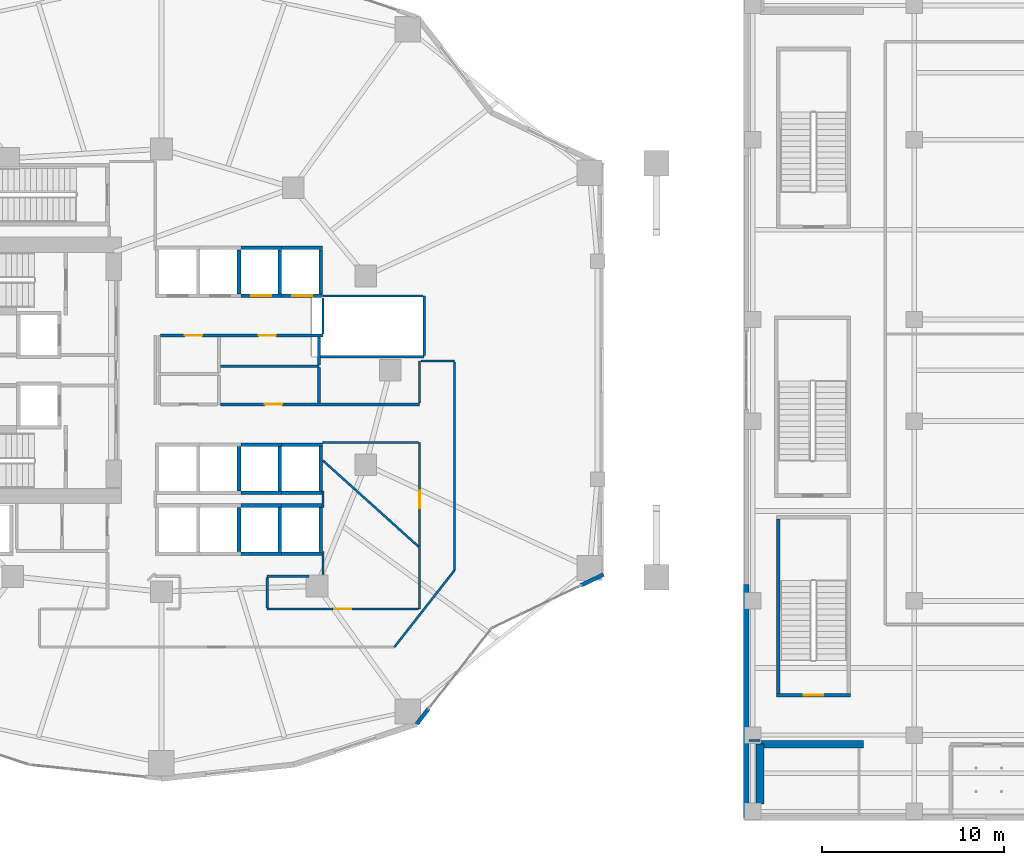
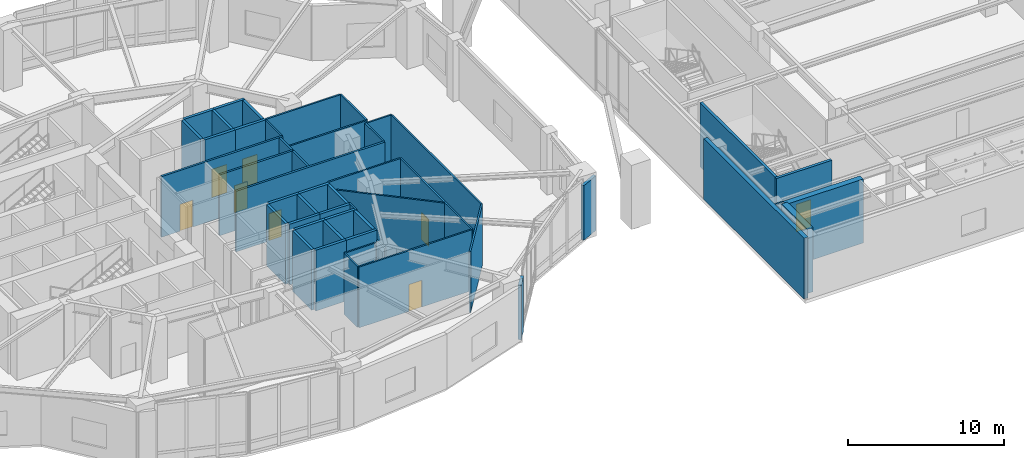
# One storey, part 13 of 21: 50 walls, 8 doors, 8 openings.
"""IFC4 building model written with IfcOpenShell, lengths in metres."""

from ifc_helpers import new_model, si_unit, direction, frame, frame_2d, origin, place, context, subcontext, project, spatial, rectangle, extrude, material, layer, layer_set, type_object, element, fill, save


model = new_model("IFC4")

# Units and contexts
model_context = context("Model", 3, precision=1e-05, world=origin(), true_north=direction((0.0, 1.0)))
body_context = subcontext(model_context, "Body", "Model", "MODEL_VIEW")
ifc_project = project(units=[si_unit("LENGTHUNIT", "METRE"), si_unit("AREAUNIT", "SQUARE_METRE"), si_unit("VOLUMEUNIT", "CUBIC_METRE"), si_unit("PLANEANGLEUNIT", "RADIAN"), si_unit("MASSUNIT", "GRAM", prefix="KILO")], contexts=[model_context])

# Site, building, storey
site_placement = place(None, origin())
site = spatial("IfcSite", under=ifc_project, at=site_placement, CompositionType="ELEMENT")
building_placement = place(site_placement, origin())
building = spatial("IfcBuilding", under=site, at=building_placement, Name="Kolvaren Gate Tower and Convention Centre", CompositionType="ELEMENT")
storey_placement = place(building_placement, frame((0.0, 0.0, 5.0)))
storey = spatial("IfcBuildingStorey", under=building, at=storey_placement, Name="L01", CompositionType="ELEMENT", Elevation=5.0)

# Walls
ifc_material_1 = material(Name="Fire-Rated Acoustic Gypsum Stud Partition", Category="gypsum")
ifc_layer_1 = layer(ifc_material_1, 0.1201171875)
ifc_layer_set_1 = layer_set([ifc_layer_1], Name="Fire-Rated Acoustic Gypsum Stud Partition")
wall_type_1 = type_object("IfcWallType", Name="ARCH-WL-PART-120", PredefinedType="PARTITIONING", material=ifc_layer_set_1)
wall_1_placement = place(storey_placement, frame((39.02001953125, 15.741943359375, 0.0), z_axis=(0.0, 0.0, 1.0), x_axis=(0.0, 1.0, 0.0)))
element("IfcWall", 1, at=wall_1_placement, inside=storey, type_object=wall_type_1, Name="Interior Partition WL-L01-INT-025", PredefinedType="PARTITIONING", context=body_context, shape_type="SweptSolid", body=[
    extrude(rectangle(XDim=1.26806640625, YDim=0.1201171875, at=frame_2d((0.634033203125, 0.0))), origin(), (0.0, 0.0, 1.0), 3.97412109375),
])
wall_2_placement = place(storey_placement, frame((39.02001953125, 19.43994140625, 0.0), z_axis=(0.0, 0.0, 1.0), x_axis=(0.0, 1.0, 0.0)))
element("IfcWall", 2, at=wall_2_placement, inside=storey, type_object=wall_type_1, Name="Interior Partition WL-L01-INT-025 (2)", PredefinedType="PARTITIONING", context=body_context, shape_type="SweptSolid", body=[
    extrude(rectangle(XDim=0.920166015625, YDim=0.1201171875, at=frame_2d((0.4599609375, 0.0))), origin(), (0.0, 0.0, 1.0), 4.739990234375),
])
wall_3_placement = place(storey_placement, frame((39.02001953125, 28.9970703125, 0.0), z_axis=(0.0, 0.0, 1.0), x_axis=(0.0, 1.0, 0.0)))
element("IfcWall", 3, at=wall_3_placement, inside=storey, type_object=wall_type_1, Name="Interior Partition WL-L01-INT-026", PredefinedType="PARTITIONING", context=body_context, shape_type="SweptSolid", body=[
    extrude(rectangle(XDim=1.98291015625, YDim=0.1201171875, at=frame_2d((0.991455078125, 0.0))), origin(), (0.0, 0.0, 1.0), 4.739990234375),
])

# Wall, opening, door
wall_4_placement = place(storey_placement, frame((44.35009765625, 13.85009765625, 0.0), z_axis=(0.0, 0.0, 1.0), x_axis=(0.0, 1.0, 0.0)))
wall_4 = element("IfcWall", 4, at=wall_4_placement, inside=storey, type_object=wall_type_1, Name="Interior Partition WL-L01-INT-027", PredefinedType="PARTITIONING", context=body_context, shape_type="SweptSolid", body=[
    extrude(rectangle(XDim=9.169921875, YDim=0.1201171875, at=frame_2d((4.5849609375, 0.0))), origin(), (0.0, 0.0, 1.0), 4.739990234375),
])
opening_1_placement = place(wall_4_placement, frame((5.553955078125, 0.0, 0.0)))
opening_1 = element("IfcOpeningElement", 5, at=opening_1_placement, cuts=wall_4, Name="Opening DR-01", PredefinedType="OPENING", context=body_context, shape_type="SweptSolid", body=[
    extrude(rectangle(XDim=0.949951171875, YDim=2.10009765625, at=frame_2d((0.47509765625, 1.050048828125))), frame((0.0, 0.070068359375, 0.0), z_axis=(0.0, -1.0, 0.0), x_axis=(1.0, 0.0, 0.0)), (0.0, 0.0, 1.0), 0.14013671875),
])
ifc_material_2 = material(Name="Painted Architectural Steelwork ASTM A500 Grade C 345 MPa", Category="steel")
door_type_1 = type_object("IfcDoorType", Name="ARCH-DR-RISER-950", OperationType="SINGLE_SWING_RIGHT", PredefinedType="DOOR", material=ifc_material_2)
door_1_placement = place(opening_1_placement, origin())
door_1 = element("IfcDoor", 6, at=door_1_placement, inside=storey, type_object=door_type_1, Name="Retail Boutique Kiosk Door", OperationType="SINGLE_SWING_LEFT", OverallHeight=2.10009765625, OverallWidth=0.949951171875, PredefinedType="DOOR", context=body_context, shape_type="SweptSolid", body=[
    extrude(rectangle(XDim=0.949951171875, YDim=2.10009765625, at=frame_2d((0.47509765625, 1.050048828125))), frame((0.0, 0.02490234375, 0.0), z_axis=(0.0, -1.0, 0.0), x_axis=(1.0, 0.0, 0.0)), (0.0, 0.0, 1.0), 0.050048828125),
])
fill(opening_1, door_1)

# Walls
wall_5_placement = place(storey_placement, frame((44.35009765625, 25.197021484375, 0.0), z_axis=(0.0, 0.0, 1.0), x_axis=(0.0, 1.0, 0.0)))
element("IfcWall", 7, at=wall_5_placement, inside=storey, type_object=wall_type_1, Name="Interior Partition WL-L01-INT-028", PredefinedType="PARTITIONING", context=body_context, shape_type="SweptSolid", body=[
    extrude(rectangle(XDim=2.31298828125, YDim=0.1201171875, at=frame_2d((1.156494140625, 0.0))), origin(), (0.0, 0.0, 1.0), 4.739990234375),
])
wall_6_placement = place(storey_placement, frame((44.412109375, 27.510009765625, 0.0), z_axis=(0.0, 0.0, 1.0), x_axis=(1.0, 0.0, 0.0)))
element("IfcWall", 8, at=wall_6_placement, inside=storey, type_object=wall_type_1, Name="Interior Partition WL-L01-INT-029", PredefinedType="PARTITIONING", context=body_context, shape_type="SweptSolid", body=[
    extrude(rectangle(XDim=1.85791015625, YDim=0.1201171875, at=frame_2d((0.928955078125, 0.0))), origin(), (0.0, 0.0, 1.0), 4.739990234375),
])
wall_7_placement = place(storey_placement, frame((46.27001953125, 15.98193359375, 0.0), z_axis=(0.0, 0.0, 1.0), x_axis=(0.0, 1.0, 0.0)))
element("IfcWall", 9, at=wall_7_placement, inside=storey, type_object=wall_type_1, Name="Interior Partition WL-L01-INT-030", PredefinedType="PARTITIONING", context=body_context, shape_type="SweptSolid", body=[
    extrude(rectangle(XDim=11.466064453125, YDim=0.1201171875, at=frame_2d((5.73291015625, 0.0))), origin(), (0.0, 0.0, 1.0), 4.739990234375),
])
wall_8_placement = place(storey_placement, frame((42.95703125, 11.75, 0.0), z_axis=(0.0, 0.0, 1.0), x_axis=(0.616428289415, 0.78741105149, 0.0)))
element("IfcWall", 10, at=wall_8_placement, inside=storey, type_object=wall_type_1, Name="Interior Partition WL-L01-INT-031", PredefinedType="PARTITIONING", context=body_context, shape_type="SweptSolid", body=[
    extrude(rectangle(XDim=5.37451171875, YDim=0.1201171875, at=frame_2d((2.687255859375, 0.0))), origin(), (0.0, 0.0, 1.0), 4.739990234375),
])

# Wall, opening, door
wall_9_placement = place(storey_placement, frame((35.949951171875, 13.85009765625, 0.0), z_axis=(0.0, 0.0, 1.0), x_axis=(1.0, 0.0, 0.0)))
wall_9 = element("IfcWall", 11, at=wall_9_placement, inside=storey, type_object=wall_type_1, Name="Interior Partition WL-L01-INT-036", PredefinedType="PARTITIONING", context=body_context, shape_type="SweptSolid", body=[
    extrude(rectangle(XDim=8.338134765625, YDim=0.1201171875, at=frame_2d((4.1689453125, 0.0))), origin(), (0.0, 0.0, 1.0), 4.739990234375),
])
opening_2_placement = place(wall_9_placement, frame((3.694091796875, 0.0, 0.0)))
opening_2 = element("IfcOpeningElement", 12, at=opening_2_placement, cuts=wall_9, Name="Opening DR-01", PredefinedType="OPENING", context=body_context, shape_type="SweptSolid", body=[
    extrude(rectangle(XDim=0.949951171875, YDim=2.10009765625, at=frame_2d((0.47509765625, 1.050048828125))), frame((0.0, 0.070068359375, 0.0), z_axis=(0.0, -1.0, 0.0), x_axis=(1.0, 0.0, 0.0)), (0.0, 0.0, 1.0), 0.14013671875),
])
door_2_placement = place(opening_2_placement, origin())
door_2 = element("IfcDoor", 13, at=door_2_placement, inside=storey, type_object=door_type_1, Name="Bogota Botanical Bistro Door", OperationType="SINGLE_SWING_RIGHT", OverallHeight=2.10009765625, OverallWidth=0.949951171875, PredefinedType="DOOR", context=body_context, shape_type="SweptSolid", body=[
    extrude(rectangle(XDim=0.949951171875, YDim=2.10009765625, at=frame_2d((0.47509765625, 1.050048828125))), frame((0.0, 0.02490234375, 0.0), z_axis=(0.0, -1.0, 0.0), x_axis=(1.0, 0.0, 0.0)), (0.0, 0.0, 1.0), 0.050048828125),
])
fill(opening_2, door_2)

# Walls
wall_10_placement = place(storey_placement, frame((35.949951171875, 15.64990234375, 0.0), z_axis=(0.0, 0.0, 1.0), x_axis=(1.0, 0.0, 0.0)))
element("IfcWall", 14, at=wall_10_placement, inside=storey, type_object=wall_type_1, Name="Interior Partition WL-L01-INT-040", PredefinedType="PARTITIONING", context=body_context, shape_type="SweptSolid", body=[
    extrude(rectangle(XDim=2.291015625, YDim=0.1201171875, at=frame_2d((1.1455078125, 0.0))), origin(), (0.0, 0.0, 1.0), 4.739990234375),
])
wall_11_placement = place(storey_placement, frame((35.949951171875, 13.912109375, 0.0), z_axis=(0.0, 0.0, 1.0), x_axis=(0.0, 1.0, 0.0)))
element("IfcWall", 15, at=wall_11_placement, inside=storey, type_object=wall_type_1, Name="Interior Partition WL-L01-INT-041", PredefinedType="PARTITIONING", context=body_context, shape_type="SweptSolid", body=[
    extrude(rectangle(XDim=1.67578125, YDim=0.1201171875, at=frame_2d((0.837890625, 0.0))), origin(), (0.0, 0.0, 1.0), 4.739990234375),
])
wall_12_placement = place(storey_placement, frame((39.0, 23.02001953125, 0.0), z_axis=(0.0, 0.0, 1.0), x_axis=(1.0, 0.0, 0.0)))
element("IfcWall", 16, at=wall_12_placement, inside=storey, type_object=wall_type_1, Name="Interior Partition WL-L01-INT-042", PredefinedType="PARTITIONING", context=body_context, shape_type="SweptSolid", body=[
    extrude(rectangle(XDim=5.2880859375, YDim=0.1201171875, at=frame_2d((2.64404296875, 0.0))), origin(), (0.0, 0.0, 1.0), 4.739990234375),
])
wall_13_placement = place(storey_placement, frame((38.876953125, 27.75, 0.0), z_axis=(0.0, 0.0, 1.0), x_axis=(1.0, 0.0, 0.0)))
element("IfcWall", 17, at=wall_13_placement, inside=storey, type_object=wall_type_1, Name="Interior Partition WL-L01-INT-045", PredefinedType="PARTITIONING", context=body_context, shape_type="SweptSolid", body=[
    extrude(rectangle(XDim=5.72314453125, YDim=0.1201171875, at=frame_2d((2.861572265625, 0.0))), origin(), (0.0, 0.0, 1.0), 4.739990234375),
])
wall_14_placement = place(storey_placement, frame((44.60009765625, 27.81201171875, 0.0), z_axis=(0.0, 0.0, 1.0), x_axis=(0.0, 1.0, 0.0)))
element("IfcWall", 18, at=wall_14_placement, inside=storey, type_object=wall_type_1, Name="Interior Partition WL-L01-INT-046", PredefinedType="PARTITIONING", context=body_context, shape_type="SweptSolid", body=[
    extrude(rectangle(XDim=3.2880859375, YDim=0.1201171875, at=frame_2d((1.64404296875, 0.0))), origin(), (0.0, 0.0, 1.0), 4.739990234375),
])
wall_15_placement = place(storey_placement, frame((39.02001953125, 31.10009765625, 0.0), z_axis=(0.0, 0.0, 1.0), x_axis=(1.0, 0.0, 0.0)))
element("IfcWall", 19, at=wall_15_placement, inside=storey, type_object=wall_type_1, Name="Interior Partition WL-L01-INT-047", PredefinedType="PARTITIONING", context=body_context, shape_type="SweptSolid", body=[
    extrude(rectangle(XDim=5.51806640625, YDim=0.1201171875, at=frame_2d((2.759033203125, 0.0))), origin(), (0.0, 0.0, 1.0), 4.739990234375),
])
wall_16_placement = place(storey_placement, frame((39.02001953125, 22.030029296875, 0.0), z_axis=(0.0, 0.0, 1.0), x_axis=(0.743160554948, -0.669113136599, 0.0)))
element("IfcWall", 20, at=wall_16_placement, inside=storey, type_object=wall_type_1, Name="Interior Partition WL-L01-INT-049", PredefinedType="PARTITIONING", context=body_context, shape_type="SweptSolid", body=[
    extrude(rectangle(XDim=7.088623046875, YDim=0.1201171875, at=frame_2d((3.54443359375, 0.0))), origin(), (0.0, 0.0, 1.0), 4.739990234375),
])
wall_17_placement = place(storey_placement, frame((62.501953125, 6.60009765625, 0.0), z_axis=(0.0, 0.0, 1.0), x_axis=(1.0, 0.0, 0.0)))
element("IfcWall", 21, at=wall_17_placement, inside=storey, type_object=wall_type_1, Name="Interior Partition WL-L01-INT-050", PredefinedType="PARTITIONING", context=body_context, shape_type="SweptSolid", body=[
    extrude(rectangle(XDim=0.59814453125, YDim=0.1201171875, at=frame_2d((0.299072265625, 0.0))), origin(), (0.0, 0.0, 1.0), 4.739990234375),
])
ifc_material_3 = material(Name="Bogota Sabana Bush-Hammered Sandstone Cladding", Category="masonry")
ifc_layer_2 = layer(ifc_material_3, 0.219970703125)
ifc_layer_set_2 = layer_set([ifc_layer_2], Name="Bogota Sabana Bush-Hammered Sandstone Cladding")
wall_type_2 = type_object("IfcWallType", Name="ARCH-WL-PIER-220", PredefinedType="SOLIDWALL", material=ifc_layer_set_2)
wall_18_placement = place(storey_placement, frame((44.1875, 7.514404296875, 0.0), z_axis=(0.0, 0.0, 1.0), x_axis=(0.616387780378, 0.787442762492, 0.0)))
element("IfcWall", 22, at=wall_18_placement, inside=storey, type_object=wall_type_2, Name="Tower L01 Unitised Curtain Wall CW-POD-GLZ Bay 20 Left Column Pier Wrap", PredefinedType="SOLIDWALL", context=body_context, shape_type="SweptSolid", body=[
    extrude(rectangle(XDim=1.076171875, YDim=0.219970703125, at=frame_2d((0.5380859375, 0.0))), origin(), (0.0, 0.0, 1.0), 4.262939453125),
])
wall_19_placement = place(storey_placement, frame((53.23681640625, 15.151611328125, 0.0), z_axis=(0.0, 0.0, 1.0), x_axis=(0.901316119915, 0.433161923512, 0.0)))
element("IfcWall", 23, at=wall_19_placement, inside=storey, type_object=wall_type_2, Name="Tower L01 Unitised Curtain Wall CW-POD-GLZ Bay 21 Right Column Pier Wrap", PredefinedType="SOLIDWALL", context=body_context, shape_type="SweptSolid", body=[
    extrude(rectangle(XDim=1.38134765625, YDim=0.219970703125, at=frame_2d((0.690673828125, 0.0))), origin(), (0.0, 0.0, 1.0), 4.262939453125),
])
ifc_material_4 = material(Name="Autoclaved Aerated Masonry Blockwork Class 4 (4.0 MPa)", Category="masonry")
ifc_layer_3 = layer(ifc_material_4, 0.199951171875)
ifc_layer_set_3 = layer_set([ifc_layer_3], Name="Autoclaved Aerated Masonry Blockwork Class 4 (4.0 MPa)")
wall_type_3 = type_object("IfcWallType", Name="ARCH-WL-SHAFT-200", PredefinedType="SOLIDWALL", material=ifc_layer_set_3)
wall_20_placement = place(storey_placement, frame((34.39990234375, 31.2099609375, 0.0), z_axis=(0.0, 0.0, 1.0), x_axis=(0.0, 1.0, 0.0)))
element("IfcWall", 24, at=wall_20_placement, inside=storey, type_object=wall_type_3, Name="Elevator PL-02 L01 Fire Shaft Wall E", PredefinedType="SOLIDWALL", context=body_context, shape_type="SweptSolid", body=[
    extrude(rectangle(XDim=2.429931640625, YDim=0.199951171875, at=frame_2d((1.21484375, 0.0))), origin(), (0.0, 0.0, 1.0), 4.739990234375),
])
wall_21_placement = place(storey_placement, frame((34.5, 33.75, 0.0), z_axis=(0.0, 0.0, 1.0), x_axis=(1.0, 0.0, 0.0)))
element("IfcWall", 25, at=wall_21_placement, inside=storey, type_object=wall_type_3, Name="Elevator PL-03 L01 Fire Shaft Wall N", PredefinedType="SOLIDWALL", context=body_context, shape_type="SweptSolid", body=[
    extrude(rectangle(XDim=2.25, YDim=0.199951171875, at=frame_2d((1.125, 0.0))), origin(), (0.0, 0.0, 1.0), 4.739990234375),
])

# Wall, opening, door
wall_22_placement = place(storey_placement, frame((34.5, 31.10009765625, 0.0), z_axis=(0.0, 0.0, 1.0), x_axis=(1.0, 0.0, 0.0)))
wall_22 = element("IfcWall", 26, at=wall_22_placement, inside=storey, type_object=wall_type_3, Name="Elevator PL-03 L01 Fire Shaft Wall S", PredefinedType="SOLIDWALL", context=body_context, shape_type="SweptSolid", body=[
    extrude(rectangle(XDim=2.25, YDim=0.199951171875, at=frame_2d((1.125, 0.0))), origin(), (0.0, 0.0, 1.0), 4.739990234375),
])
opening_3_placement = place(wall_22_placement, frame((0.574951171875, 0.0, 0.0)))
opening_3 = element("IfcOpeningElement", 27, at=opening_3_placement, cuts=wall_22, Name="Opening LD", PredefinedType="OPENING", context=body_context, shape_type="SweptSolid", body=[
    extrude(rectangle(XDim=1.10009765625, YDim=2.199951171875, at=frame_2d((0.550048828125, 1.10009765625))), frame((0.0, 0.10986328125, 0.0), z_axis=(0.0, -1.0, 0.0), x_axis=(1.0, 0.0, 0.0)), (0.0, 0.0, 1.0), 0.219970703125),
])
ifc_material_5 = material(Name="Brushed Stainless Steel Grade 316L", Category="steel")
door_type_2 = type_object("IfcDoorType", Name="ARCH-DR-LIFT-1100", OperationType="SLIDING_TO_LEFT", PredefinedType="DOOR", material=ifc_material_5)
door_3_placement = place(opening_3_placement, origin())
door_3 = element("IfcDoor", 28, at=door_3_placement, inside=storey, type_object=door_type_2, Name="Elevator PL-03 L01 Sliding Landing Door", OperationType="SLIDING_TO_LEFT", OverallHeight=2.199951171875, OverallWidth=1.10009765625, PredefinedType="DOOR", context=body_context, shape_type="SweptSolid", body=[
    extrude(rectangle(XDim=1.10009765625, YDim=2.199951171875, at=frame_2d((0.550048828125, 1.10009765625))), frame((0.0, 0.02490234375, 0.0), z_axis=(0.0, -1.0, 0.0), x_axis=(1.0, 0.0, 0.0)), (0.0, 0.0, 1.0), 0.050048828125),
])
fill(opening_3, door_3)

# Walls
wall_23_placement = place(storey_placement, frame((36.64990234375, 31.2099609375, 0.0), z_axis=(0.0, 0.0, 1.0), x_axis=(0.0, 1.0, 0.0)))
element("IfcWall", 29, at=wall_23_placement, inside=storey, type_object=wall_type_3, Name="Elevator PL-03 L01 Fire Shaft Wall E", PredefinedType="SOLIDWALL", context=body_context, shape_type="SweptSolid", body=[
    extrude(rectangle(XDim=2.429931640625, YDim=0.199951171875, at=frame_2d((1.21484375, 0.0))), origin(), (0.0, 0.0, 1.0), 4.739990234375),
])
wall_24_placement = place(storey_placement, frame((36.75, 33.75, 0.0), z_axis=(0.0, 0.0, 1.0), x_axis=(1.0, 0.0, 0.0)))
element("IfcWall", 30, at=wall_24_placement, inside=storey, type_object=wall_type_3, Name="Elevator PL-04 L01 Fire Shaft Wall N", PredefinedType="SOLIDWALL", context=body_context, shape_type="SweptSolid", body=[
    extrude(rectangle(XDim=2.25, YDim=0.199951171875, at=frame_2d((1.125, 0.0))), origin(), (0.0, 0.0, 1.0), 4.739990234375),
])

# Wall, opening, door
wall_25_placement = place(storey_placement, frame((36.75, 31.10009765625, 0.0), z_axis=(0.0, 0.0, 1.0), x_axis=(1.0, 0.0, 0.0)))
wall_25 = element("IfcWall", 31, at=wall_25_placement, inside=storey, type_object=wall_type_3, Name="Elevator PL-04 L01 Fire Shaft Wall S", PredefinedType="SOLIDWALL", context=body_context, shape_type="SweptSolid", body=[
    extrude(rectangle(XDim=2.25, YDim=0.199951171875, at=frame_2d((1.125, 0.0))), origin(), (0.0, 0.0, 1.0), 4.739990234375),
])
opening_4_placement = place(wall_25_placement, frame((0.574951171875, 0.0, 0.0)))
opening_4 = element("IfcOpeningElement", 32, at=opening_4_placement, cuts=wall_25, Name="Opening LD", PredefinedType="OPENING", context=body_context, shape_type="SweptSolid", body=[
    extrude(rectangle(XDim=1.10009765625, YDim=2.199951171875, at=frame_2d((0.550048828125, 1.10009765625))), frame((0.0, 0.10986328125, 0.0), z_axis=(0.0, -1.0, 0.0), x_axis=(1.0, 0.0, 0.0)), (0.0, 0.0, 1.0), 0.219970703125),
])
door_4_placement = place(opening_4_placement, origin())
door_4 = element("IfcDoor", 33, at=door_4_placement, inside=storey, type_object=door_type_2, Name="Elevator PL-04 L01 Sliding Landing Door", OperationType="SLIDING_TO_LEFT", OverallHeight=2.199951171875, OverallWidth=1.10009765625, PredefinedType="DOOR", context=body_context, shape_type="SweptSolid", body=[
    extrude(rectangle(XDim=1.10009765625, YDim=2.199951171875, at=frame_2d((0.550048828125, 1.10009765625))), frame((0.0, 0.02490234375, 0.0), z_axis=(0.0, -1.0, 0.0), x_axis=(1.0, 0.0, 0.0)), (0.0, 0.0, 1.0), 0.050048828125),
])
fill(opening_4, door_4)

# Walls
for number, where, z_axis, x_axis, name in (
    (34, (38.89990234375, 31.2099609375, 0.0), (0.0, 0.0, 1.0), (0.0, 1.0, 0.0), "Elevator PL-04 L01 Fire Shaft Wall E"),
    (35, (34.39990234375, 17.010009765625, 0.0), (0.0, 0.0, 1.0), (0.0, 1.0, 0.0), "Elevator PL-06 L01 Fire Shaft Wall E"),
):
    element("IfcWall", number, at=place(storey_placement, frame(where, z_axis=z_axis, x_axis=x_axis)), inside=storey, type_object=wall_type_3, Name=name, PredefinedType="SOLIDWALL", context=body_context, shape_type="SweptSolid", body=[
        extrude(rectangle(XDim=2.429931640625, YDim=0.199951171875, at=frame_2d((1.21484375, 0.0))), origin(), (0.0, 0.0, 1.0), 4.739990234375),
    ])
for number, where, z_axis, x_axis, name in (
    (36, (34.5, 19.550048828125, 0.0), (0.0, 0.0, 1.0), (1.0, 0.0, 0.0), "Elevator PL-07 L01 Fire Shaft Wall N"),
    (37, (34.5, 16.89990234375, 0.0), (0.0, 0.0, 1.0), (1.0, 0.0, 0.0), "Elevator PL-07 L01 Fire Shaft Wall S"),
):
    element("IfcWall", number, at=place(storey_placement, frame(where, z_axis=z_axis, x_axis=x_axis)), inside=storey, type_object=wall_type_3, Name=name, PredefinedType="SOLIDWALL", context=body_context, shape_type="SweptSolid", body=[
        extrude(rectangle(XDim=2.25, YDim=0.199951171875, at=frame_2d((1.125, 0.0))), origin(), (0.0, 0.0, 1.0), 4.739990234375),
    ])
wall_26_placement = place(storey_placement, frame((36.64990234375, 17.010009765625, 0.0), z_axis=(0.0, 0.0, 1.0), x_axis=(0.0, 1.0, 0.0)))
element("IfcWall", 38, at=wall_26_placement, inside=storey, type_object=wall_type_3, Name="Elevator PL-07 L01 Fire Shaft Wall E", PredefinedType="SOLIDWALL", context=body_context, shape_type="SweptSolid", body=[
    extrude(rectangle(XDim=2.429931640625, YDim=0.199951171875, at=frame_2d((1.21484375, 0.0))), origin(), (0.0, 0.0, 1.0), 4.739990234375),
])
for number, where, z_axis, x_axis, name in (
    (39, (36.75, 19.550048828125, 0.0), (0.0, 0.0, 1.0), (1.0, 0.0, 0.0), "Elevator PL-08 L01 Fire Shaft Wall N"),
    (40, (36.75, 16.89990234375, 0.0), (0.0, 0.0, 1.0), (1.0, 0.0, 0.0), "Elevator PL-08 L01 Fire Shaft Wall S"),
):
    element("IfcWall", number, at=place(storey_placement, frame(where, z_axis=z_axis, x_axis=x_axis)), inside=storey, type_object=wall_type_3, Name=name, PredefinedType="SOLIDWALL", context=body_context, shape_type="SweptSolid", body=[
        extrude(rectangle(XDim=2.25, YDim=0.199951171875, at=frame_2d((1.125, 0.0))), origin(), (0.0, 0.0, 1.0), 4.739990234375),
    ])
for number, where, z_axis, x_axis, name in (
    (41, (38.89990234375, 17.010009765625, 0.0), (0.0, 0.0, 1.0), (0.0, 1.0, 0.0), "Elevator PL-08 L01 Fire Shaft Wall E"),
    (42, (34.39990234375, 20.360107421875, 0.0), (0.0, 0.0, 1.0), (0.0, 1.0, 0.0), "Elevator PL-10 L01 Fire Shaft Wall E"),
):
    element("IfcWall", number, at=place(storey_placement, frame(where, z_axis=z_axis, x_axis=x_axis)), inside=storey, type_object=wall_type_3, Name=name, PredefinedType="SOLIDWALL", context=body_context, shape_type="SweptSolid", body=[
        extrude(rectangle(XDim=2.429931640625, YDim=0.199951171875, at=frame_2d((1.21484375, 0.0))), origin(), (0.0, 0.0, 1.0), 4.739990234375),
    ])
for number, where, z_axis, x_axis, name in (
    (43, (34.5, 22.89990234375, 0.0), (0.0, 0.0, 1.0), (1.0, 0.0, 0.0), "Elevator PL-11 L01 Fire Shaft Wall N"),
    (44, (34.5, 20.25, 0.0), (0.0, 0.0, 1.0), (1.0, 0.0, 0.0), "Elevator PL-11 L01 Fire Shaft Wall S"),
):
    element("IfcWall", number, at=place(storey_placement, frame(where, z_axis=z_axis, x_axis=x_axis)), inside=storey, type_object=wall_type_3, Name=name, PredefinedType="SOLIDWALL", context=body_context, shape_type="SweptSolid", body=[
        extrude(rectangle(XDim=2.25, YDim=0.199951171875, at=frame_2d((1.125, 0.0))), origin(), (0.0, 0.0, 1.0), 4.739990234375),
    ])
wall_27_placement = place(storey_placement, frame((36.64990234375, 20.360107421875, 0.0), z_axis=(0.0, 0.0, 1.0), x_axis=(0.0, 1.0, 0.0)))
element("IfcWall", 45, at=wall_27_placement, inside=storey, type_object=wall_type_3, Name="Elevator PL-11 L01 Fire Shaft Wall E", PredefinedType="SOLIDWALL", context=body_context, shape_type="SweptSolid", body=[
    extrude(rectangle(XDim=2.429931640625, YDim=0.199951171875, at=frame_2d((1.21484375, 0.0))), origin(), (0.0, 0.0, 1.0), 4.739990234375),
])
for number, where, z_axis, x_axis, name in (
    (46, (36.75, 22.89990234375, 0.0), (0.0, 0.0, 1.0), (1.0, 0.0, 0.0), "Elevator PL-12 L01 Fire Shaft Wall N"),
    (47, (36.75, 20.25, 0.0), (0.0, 0.0, 1.0), (1.0, 0.0, 0.0), "Elevator PL-12 L01 Fire Shaft Wall S"),
):
    element("IfcWall", number, at=place(storey_placement, frame(where, z_axis=z_axis, x_axis=x_axis)), inside=storey, type_object=wall_type_3, Name=name, PredefinedType="SOLIDWALL", context=body_context, shape_type="SweptSolid", body=[
        extrude(rectangle(XDim=2.25, YDim=0.199951171875, at=frame_2d((1.125, 0.0))), origin(), (0.0, 0.0, 1.0), 4.739990234375),
    ])
wall_28_placement = place(storey_placement, frame((38.89990234375, 20.360107421875, 0.0), z_axis=(0.0, 0.0, 1.0), x_axis=(0.0, 1.0, 0.0)))
element("IfcWall", 48, at=wall_28_placement, inside=storey, type_object=wall_type_3, Name="Elevator PL-12 L01 Fire Shaft Wall E", PredefinedType="SOLIDWALL", context=body_context, shape_type="SweptSolid", body=[
    extrude(rectangle(XDim=2.429931640625, YDim=0.199951171875, at=frame_2d((1.21484375, 0.0))), origin(), (0.0, 0.0, 1.0), 4.739990234375),
])
ifc_material_6 = material(Name="Piedmont Cream Honed Limestone Cladding", Category="masonry")
ifc_layer_4 = layer(ifc_material_6, 0.300048828125)
ifc_layer_set_4 = layer_set([ifc_layer_4], Name="Piedmont Cream Honed Limestone Cladding")
wall_type_4 = type_object("IfcWallType", Name="ARCH-WL-STONE-300", PredefinedType="SOLIDWALL", material=ifc_layer_set_4)
wall_29_placement = place(storey_placement, frame((62.35009765625, 2.35009765625, 0.0), z_axis=(0.0, 0.0, 1.0), x_axis=(0.0, 1.0, 0.0)))
element("IfcWall", 49, at=wall_29_placement, inside=storey, type_object=wall_type_4, Name="Convention L01 W Stone Wing Wall South", PredefinedType="SOLIDWALL", context=body_context, shape_type="SweptSolid", body=[
    extrude(rectangle(XDim=12.849853515625, YDim=0.300048828125, at=frame_2d((6.4248046875, 0.0))), origin(), (0.0, 0.0, 1.0), 4.739990234375),
])

# Wall, openings, doors
ifc_material_7 = material(Name="Moisture-Resistant Cement-Board Acoustic Partition", Category="gypsum")
ifc_layer_5 = layer(ifc_material_7, 0.14990234375)
ifc_layer_set_5 = layer_set([ifc_layer_5], Name="Moisture-Resistant Cement-Board Acoustic Partition")
wall_type_5 = type_object("IfcWallType", Name="ARCH-WL-WET-150", PredefinedType="PARTITIONING", material=ifc_layer_set_5)
wall_30_placement = place(storey_placement, frame((30.076904296875, 28.919921875, 0.0), z_axis=(0.0, 0.0, 1.0), x_axis=(1.0, 0.0, 0.0)))
wall_30 = element("IfcWall", 50, at=wall_30_placement, inside=storey, type_object=wall_type_5, Name="Interior Partition WL-L01-INT-017", PredefinedType="PARTITIONING", context=body_context, shape_type="SweptSolid", body=[
    extrude(rectangle(XDim=8.943115234375, YDim=0.14990234375, at=frame_2d((4.4716796875, 0.0))), origin(), (0.0, 0.0, 1.0), 4.739990234375),
])
opening_5_placement = place(wall_30_placement, frame((1.341552734375, 0.0, 0.0)))
opening_5 = element("IfcOpeningElement", 51, at=opening_5_placement, cuts=wall_30, Name="Opening DR-01", PredefinedType="OPENING", context=body_context, shape_type="SweptSolid", body=[
    extrude(rectangle(XDim=0.949951171875, YDim=2.10009765625, at=frame_2d((0.47509765625, 1.050048828125))), frame((0.0, 0.0849609375, 0.0), z_axis=(0.0, -1.0, 0.0), x_axis=(1.0, 0.0, 0.0)), (0.0, 0.0, 1.0), 0.169921875),
])
opening_6_placement = place(wall_30_placement, frame((5.403076171875, 0.0, 0.0)))
opening_6 = element("IfcOpeningElement", 52, at=opening_6_placement, cuts=wall_30, Name="Opening DR-01", PredefinedType="OPENING", context=body_context, shape_type="SweptSolid", body=[
    extrude(rectangle(XDim=0.949951171875, YDim=2.10009765625, at=frame_2d((0.47509765625, 1.050048828125))), frame((0.0, 0.0849609375, 0.0), z_axis=(0.0, -1.0, 0.0), x_axis=(1.0, 0.0, 0.0)), (0.0, 0.0, 1.0), 0.169921875),
])
door_5_placement = place(opening_5_placement, origin())
door_5 = element("IfcDoor", 53, at=door_5_placement, inside=storey, type_object=door_type_1, Name="Accessible North Washroom Door", OperationType="SINGLE_SWING_RIGHT", OverallHeight=2.10009765625, OverallWidth=0.949951171875, PredefinedType="DOOR", context=body_context, shape_type="SweptSolid", body=[
    extrude(rectangle(XDim=0.949951171875, YDim=2.10009765625, at=frame_2d((0.47509765625, 1.050048828125))), frame((0.0, 0.02490234375, 0.0), z_axis=(0.0, -1.0, 0.0), x_axis=(1.0, 0.0, 0.0)), (0.0, 0.0, 1.0), 0.050048828125),
])
fill(opening_5, door_5)
door_6_placement = place(opening_6_placement, origin())
door_6 = element("IfcDoor", 54, at=door_6_placement, inside=storey, type_object=door_type_1, Name="Floor Janitor and Supply Store Door", OperationType="SINGLE_SWING_RIGHT", OverallHeight=2.10009765625, OverallWidth=0.949951171875, PredefinedType="DOOR", context=body_context, shape_type="SweptSolid", body=[
    extrude(rectangle(XDim=0.949951171875, YDim=2.10009765625, at=frame_2d((0.47509765625, 1.050048828125))), frame((0.0, 0.02490234375, 0.0), z_axis=(0.0, -1.0, 0.0), x_axis=(1.0, 0.0, 0.0)), (0.0, 0.0, 1.0), 0.050048828125),
])
fill(opening_6, door_6)

# Wall, opening, door
wall_31_placement = place(storey_placement, frame((33.376953125, 25.1201171875, 0.0), z_axis=(0.0, 0.0, 1.0), x_axis=(1.0, 0.0, 0.0)))
wall_31 = element("IfcWall", 55, at=wall_31_placement, inside=storey, type_object=wall_type_5, Name="Interior Partition WL-L01-INT-019 (2)", PredefinedType="PARTITIONING", context=body_context, shape_type="SweptSolid", body=[
    extrude(rectangle(XDim=10.97314453125, YDim=0.14990234375, at=frame_2d((5.486572265625, 0.0))), origin(), (0.0, 0.0, 1.0), 4.739990234375),
])
opening_7_placement = place(wall_31_placement, frame((2.44140625, 0.0, 0.0)))
opening_7 = element("IfcOpeningElement", 56, at=opening_7_placement, cuts=wall_31, Name="Opening DR-01", PredefinedType="OPENING", context=body_context, shape_type="SweptSolid", body=[
    extrude(rectangle(XDim=0.949951171875, YDim=2.10009765625, at=frame_2d((0.47509765625, 1.050048828125))), frame((0.0, 0.0849609375, 0.0), z_axis=(0.0, -1.0, 0.0), x_axis=(1.0, 0.0, 0.0)), (0.0, 0.0, 1.0), 0.169921875),
])
door_7_placement = place(opening_7_placement, origin())
door_7 = element("IfcDoor", 57, at=door_7_placement, inside=storey, type_object=door_type_1, Name="Floor Coffee Pantry Door", OperationType="SINGLE_SWING_LEFT", OverallHeight=2.10009765625, OverallWidth=0.949951171875, PredefinedType="DOOR", context=body_context, shape_type="SweptSolid", body=[
    extrude(rectangle(XDim=0.949951171875, YDim=2.10009765625, at=frame_2d((0.47509765625, 1.050048828125))), frame((0.0, 0.02490234375, 0.0), z_axis=(0.0, -1.0, 0.0), x_axis=(1.0, 0.0, 0.0)), (0.0, 0.0, 1.0), 0.050048828125),
])
fill(opening_7, door_7)

# Walls
wall_32_placement = place(storey_placement, frame((33.376953125, 27.219970703125, 0.0), z_axis=(0.0, 0.0, 1.0), x_axis=(1.0, 0.0, 0.0)))
element("IfcWall", 58, at=wall_32_placement, inside=storey, type_object=wall_type_5, Name="Interior Partition WL-L01-INT-020", PredefinedType="PARTITIONING", context=body_context, shape_type="SweptSolid", body=[
    extrude(rectangle(XDim=5.423095703125, YDim=0.14990234375, at=frame_2d((2.71142578125, 0.0))), origin(), (0.0, 0.0, 1.0), 4.739990234375),
])
wall_33_placement = place(storey_placement, frame((38.800048828125, 25.197021484375, 0.0), z_axis=(0.0, 0.0, 1.0), x_axis=(0.0, 1.0, 0.0)))
element("IfcWall", 59, at=wall_33_placement, inside=storey, type_object=wall_type_5, Name="Interior Partition WL-L01-INT-021", PredefinedType="PARTITIONING", context=body_context, shape_type="SweptSolid", body=[
    extrude(rectangle(XDim=1.946044921875, YDim=0.14990234375, at=frame_2d((0.97314453125, 0.0))), origin(), (0.0, 0.0, 1.0), 4.739990234375),
])
wall_34_placement = place(storey_placement, frame((38.800048828125, 27.297119140625, 0.0), z_axis=(0.0, 0.0, 1.0), x_axis=(0.0, 1.0, 0.0)))
element("IfcWall", 60, at=wall_34_placement, inside=storey, type_object=wall_type_5, Name="Interior Partition WL-L01-INT-021 (2)", PredefinedType="PARTITIONING", context=body_context, shape_type="SweptSolid", body=[
    extrude(rectangle(XDim=1.5458984375, YDim=0.14990234375, at=frame_2d((0.77294921875, 0.0))), origin(), (0.0, 0.0, 1.0), 4.739990234375),
])
ifc_material_8 = material(Name="Concrete C50/60", Category="concrete")
ifc_layer_6 = layer(ifc_material_8, 0.419921875)
ifc_layer_set_6 = layer_set([ifc_layer_6], Name="Concrete C50/60")
wall_type_6 = type_object("IfcWallType", Name="STR-WL-CONV-420", PredefinedType="SHEAR", material=ifc_layer_set_6)
wall_35_placement = place(storey_placement, frame((63.10009765625, 3.10009765625, -0.260009765625), z_axis=(0.0, 0.0, 1.0), x_axis=(0.0, 1.0, 0.0)))
element("IfcWall", 61, at=wall_35_placement, inside=storey, type_object=wall_type_6, Name="Convention L01 Shear Core Wall CCSW-W", PredefinedType="SHEAR", context=body_context, shape_type="SweptSolid", body=[
    extrude(rectangle(XDim=3.2998046875, YDim=0.419921875, at=frame_2d((1.64990234375, 0.0))), origin(), (0.0, 0.0, 1.0), 5.0),
])
wall_36_placement = place(storey_placement, frame((63.10009765625, 6.39990234375, -0.260009765625), z_axis=(0.0, 0.0, 1.0), x_axis=(1.0, 0.0, 0.0)))
element("IfcWall", 62, at=wall_36_placement, inside=storey, type_object=wall_type_6, Name="Convention L01 Shear Core Wall CCSW-N", PredefinedType="SHEAR", context=body_context, shape_type="SweptSolid", body=[
    extrude(rectangle(XDim=5.699951171875, YDim=0.419921875, at=frame_2d((2.85009765625, 0.0))), origin(), (0.0, 0.0, 1.0), 5.0),
])

# Wall, opening, door
ifc_layer_7 = layer(ifc_material_8, 0.199951171875)
ifc_layer_set_7 = layer_set([ifc_layer_7], Name="Concrete C50/60")
wall_type_7 = type_object("IfcWallType", Name="STR-WL-SHAFT-200", PredefinedType="SHEAR", material=ifc_layer_set_7)
wall_37_placement = place(storey_placement, frame((64.0, 9.10009765625, -0.260009765625), z_axis=(0.0, 0.0, 1.0), x_axis=(1.0, 0.0, 0.0)))
wall_37 = element("IfcWall", 63, at=wall_37_placement, inside=storey, type_object=wall_type_7, Name="Convention SW Exit Stair ST-C2 L01 Structural Shear Enclosure Wall NEAR", PredefinedType="SHEAR", context=body_context, shape_type="SweptSolid", body=[
    extrude(rectangle(XDim=4.10009765625, YDim=0.199951171875, at=frame_2d((2.050048828125, 0.0))), origin(), (0.0, 0.0, 1.0), 5.0),
])
opening_8_placement = place(wall_37_placement, frame((1.5, 0.0, 0.260009765625)))
opening_8 = element("IfcOpeningElement", 64, at=opening_8_placement, cuts=wall_37, Name="Opening DS-01", PredefinedType="OPENING", context=body_context, shape_type="SweptSolid", body=[
    extrude(rectangle(XDim=1.10009765625, YDim=2.14990234375, at=frame_2d((0.550048828125, 1.074951171875))), frame((0.0, 0.10986328125, 0.0), z_axis=(0.0, -1.0, 0.0), x_axis=(1.0, 0.0, 0.0)), (0.0, 0.0, 1.0), 0.219970703125),
])
door_type_3 = type_object("IfcDoorType", Name="ARCH-DR-STAIR-1100", OperationType="SINGLE_SWING_LEFT", PredefinedType="DOOR", material=ifc_material_2)
door_8_placement = place(opening_8_placement, origin())
door_8 = element("IfcDoor", 65, at=door_8_placement, inside=storey, type_object=door_type_3, Name="Convention SW Exit Stair ST-C2 L01 Fire Exit Stair Door", OperationType="SINGLE_SWING_LEFT", OverallHeight=2.14990234375, OverallWidth=1.10009765625, PredefinedType="DOOR", context=body_context, shape_type="SweptSolid", body=[
    extrude(rectangle(XDim=1.10009765625, YDim=2.14990234375, at=frame_2d((0.550048828125, 1.074951171875))), frame((0.0, 0.02490234375, 0.0), z_axis=(0.0, -1.0, 0.0), x_axis=(1.0, 0.0, 0.0)), (0.0, 0.0, 1.0), 0.050048828125),
])
fill(opening_8, door_8)

# Wall
wall_38_placement = place(storey_placement, frame((64.10009765625, 9.201904296875, -0.260009765625), z_axis=(0.0, 0.0, 1.0), x_axis=(0.0, 1.0, 0.0)))
element("IfcWall", 66, at=wall_38_placement, inside=storey, type_object=wall_type_7, Name="Convention SW Exit Stair ST-C2 L01 Structural Shear Enclosure Wall WEST", PredefinedType="SHEAR", context=body_context, shape_type="SweptSolid", body=[
    extrude(rectangle(XDim=9.59619140625, YDim=0.199951171875, at=frame_2d((4.798095703125, 0.0))), origin(), (0.0, 0.0, 1.0), 5.0),
])

save(model, "model.ifc")
